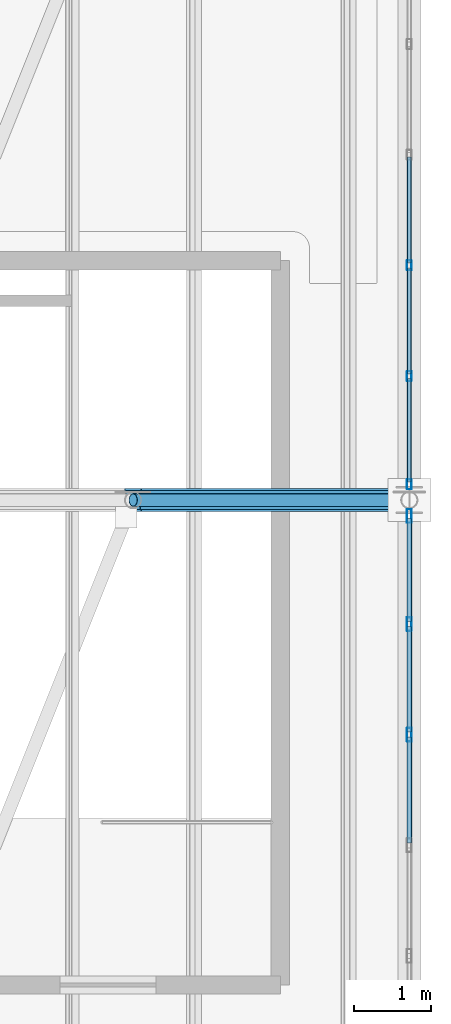
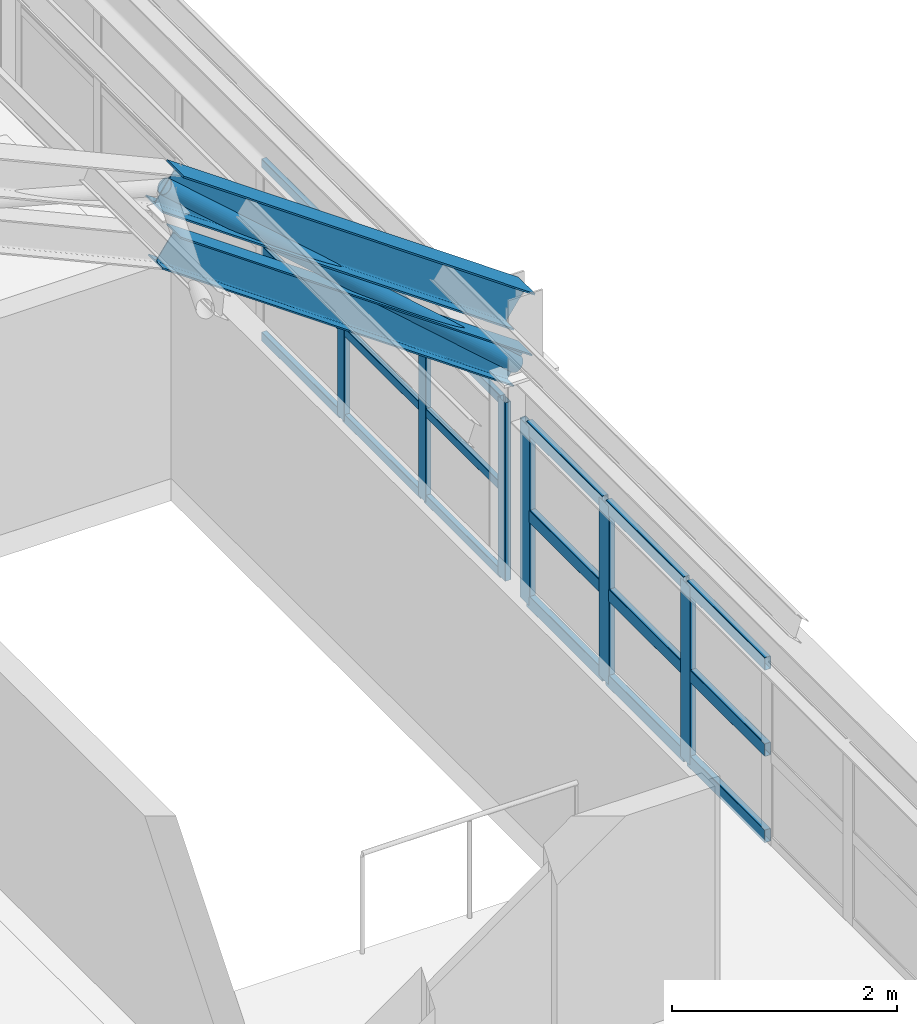
# One storey, part 36 of 121: 26 members, 1 beam, 2 elements without a shape of their own.
"""IFC4 building model written with IfcOpenShell, lengths in metres."""

from ifc_helpers import new_model, si_unit, direction, frame, origin, origin_2d, place, context, subcontext, project, spatial, hollow_rectangle, hollow_circle, i_section, extrude, material, material_profile, profile_set, type_object, element, aggregate, save


model = new_model("IFC4")

# Units and contexts
model_context = context("Model", 3, precision=1e-05, world=origin(), true_north=direction((0.0, 1.0)))
body_context = subcontext(model_context, "Body", "Model", "MODEL_VIEW")
ifc_project = project(units=[si_unit("LENGTHUNIT", "METRE"), si_unit("AREAUNIT", "SQUARE_METRE"), si_unit("VOLUMEUNIT", "CUBIC_METRE"), si_unit("PLANEANGLEUNIT", "RADIAN"), si_unit("MASSUNIT", "GRAM", prefix="KILO")], contexts=[model_context])

# Site, building, storey
site_placement = place(None, origin())
site = spatial("IfcSite", under=ifc_project, at=site_placement, CompositionType="ELEMENT")
building_placement = place(site_placement, origin())
building = spatial("IfcBuilding", under=site, at=building_placement, Name="Canglan Escarpment Cableway Terminal", CompositionType="ELEMENT")
storey_placement = place(building_placement, frame((0.0, 0.0, 24.60009765625)))
storey = spatial("IfcBuildingStorey", under=building, at=storey_placement, Name="L05", CompositionType="ELEMENT", Elevation=24.60009765625)

# Beam
ifc_material_1 = material(Name="Steel Q355B", Category="steel")
ifc_material_profile_1 = material_profile(ifc_material_1, i_section(OverallWidth=0.300048828125, OverallDepth=0.389892578125, WebThickness=0.010009765625, FlangeThickness=0.01611328125, FilletRadius=0.02197265625, at=origin_2d()), Name="HM 390x300x10x16")
ifc_profile_set_1 = profile_set([ifc_material_profile_1], Name="Steel Q355B")
beam_type = type_object("IfcBeamType", Name="BM-ARCH-TOP-HM390", PredefinedType="BEAM", material=ifc_profile_set_1)
beam_placement = place(storey_placement, frame((162.800048828125, 43.0, 5.616455078125), z_axis=(0.817731009495, 0.0, -0.575600552563), x_axis=(0.0, 1.0, 0.0)))
element("IfcBeam", 1, at=beam_placement, inside=storey, type_object=beam_type, Name="Vault ROOF TRUSS arch top chord AR-TC1", PredefinedType="BEAM", context=body_context, shape_type="SweptSolid", body=[
    extrude(i_section(OverallWidth=0.300048828125, OverallDepth=0.389892578125, WebThickness=0.010009765625, FlangeThickness=0.01611328125, FilletRadius=0.02197265625, at=origin_2d()), origin(), (0.0, 0.0, 1.0), 4.40234375),
])

# Curtain wall, members
ifc_material_2 = material(Name="Anodized bronze aluminium and Low-E double glazing", Category="aluminium")
curtain_wall_type = type_object("IfcCurtainWallType", Name="CW-BAY-8650x1925", PredefinedType="NOTDEFINED", material=ifc_material_2)
curtain_wall_1_placement = place(storey_placement, origin())
curtain_wall_1 = element("IfcCurtainWall", 2, at=curtain_wall_1_placement, inside=storey, type_object=curtain_wall_type, Name="Classical bay-between-piers glazed curtain wall CW-65", PredefinedType="NOTDEFINED")
ifc_material_3 = material(Name="Thermally broken anodized aluminium 6063-T6", Category="aluminium")
ifc_material_profile_2 = material_profile(ifc_material_3, hollow_rectangle(XDim=0.06005859375, YDim=0.1298828125, WallThickness=0.0029296875, InnerFilletRadius=0.0029296875, OuterFilletRadius=0.006103515625, at=origin_2d()), Name="ALU-MULL 60x130x3")
ifc_profile_set_2 = profile_set([ifc_material_profile_2], Name="Thermally broken anodized aluminium 6063-T6")
member_type_1 = type_object("IfcMemberType", Name="CWM-01", PredefinedType="MULLION", material=ifc_profile_set_2)
member_1_placement = place(storey_placement, frame((166.39990234375, 43.205078125, 0.0), z_axis=(0.0, 0.0, 1.0), x_axis=(-1.0, 0.0, 0.0)))
member_1 = element("IfcMember", 3, at=member_1_placement, type_object=member_type_1, Name="CW-65 mullion 1", PredefinedType="MULLION", context=body_context, shape_type="SweptSolid", body=[
    extrude(hollow_rectangle(XDim=0.06005859375, YDim=0.1298828125, WallThickness=0.0029296875, InnerFilletRadius=0.0029296875, OuterFilletRadius=0.006103515625, at=origin_2d()), origin(), (0.0, 0.0, 1.0), 1.932373046875),
])
member_2_placement = place(storey_placement, frame((166.39990234375, 44.61669921875, 0.0), z_axis=(0.0, 0.0, 1.0), x_axis=(-1.0, 0.0, 0.0)))
member_2 = element("IfcMember", 4, at=member_2_placement, type_object=member_type_1, Name="CW-65 mullion 2", PredefinedType="MULLION", context=body_context, shape_type="SweptSolid", body=[
    extrude(hollow_rectangle(XDim=0.06005859375, YDim=0.1298828125, WallThickness=0.0029296875, InnerFilletRadius=0.0029296875, OuterFilletRadius=0.006103515625, at=origin_2d()), origin(), (0.0, 0.0, 1.0), 1.932373046875),
])
member_3_placement = place(storey_placement, frame((166.39990234375, 46.058349609375, 0.0), z_axis=(0.0, 0.0, 1.0), x_axis=(-1.0, 0.0, 0.0)))
member_3 = element("IfcMember", 5, at=member_3_placement, type_object=member_type_1, Name="CW-65 mullion 3", PredefinedType="MULLION", context=body_context, shape_type="SweptSolid", body=[
    extrude(hollow_rectangle(XDim=0.06005859375, YDim=0.1298828125, WallThickness=0.0029296875, InnerFilletRadius=0.0029296875, OuterFilletRadius=0.006103515625, at=origin_2d()), origin(), (0.0, 0.0, 1.0), 1.932373046875),
])

curtain_wall_2_placement = place(storey_placement, origin())
curtain_wall_2 = element("IfcCurtainWall", 6, at=curtain_wall_2_placement, inside=storey, type_object=curtain_wall_type, Name="Classical bay-between-piers glazed curtain wall CW-65", PredefinedType="NOTDEFINED")
ifc_material_profile_3 = material_profile(ifc_material_3, hollow_rectangle(XDim=0.06494140625, YDim=0.179931640625, WallThickness=0.00390625, InnerFilletRadius=0.00390625, OuterFilletRadius=0.008056640625, at=origin_2d()), Name="ALU-MULL 65x180x4")
ifc_profile_set_3 = profile_set([ifc_material_profile_3], Name="Thermally broken anodized aluminium 6063-T6")
member_type_2 = type_object("IfcMemberType", Name="CWM-03", PredefinedType="MULLION", material=ifc_profile_set_3)
member_4_placement = place(storey_placement, frame((166.39990234375, 39.941650390625, 0.0), z_axis=(0.0, 0.0, 1.0), x_axis=(-1.0, 0.0, 0.0)))
member_4 = element("IfcMember", 7, at=member_4_placement, type_object=member_type_2, Name="CW-65 mullion 5", PredefinedType="MULLION", context=body_context, shape_type="SweptSolid", body=[
    extrude(hollow_rectangle(XDim=0.06494140625, YDim=0.179931640625, WallThickness=0.00390625, InnerFilletRadius=0.00390625, OuterFilletRadius=0.008056640625, at=origin_2d()), origin(), (0.0, 0.0, 1.0), 1.932373046875),
])
member_5_placement = place(storey_placement, frame((166.39990234375, 41.38330078125, 0.0), z_axis=(0.0, 0.0, 1.0), x_axis=(-1.0, 0.0, 0.0)))
member_5 = element("IfcMember", 8, at=member_5_placement, type_object=member_type_2, Name="CW-65 mullion 6", PredefinedType="MULLION", context=body_context, shape_type="SweptSolid", body=[
    extrude(hollow_rectangle(XDim=0.06494140625, YDim=0.179931640625, WallThickness=0.00390625, InnerFilletRadius=0.00390625, OuterFilletRadius=0.008056640625, at=origin_2d()), origin(), (0.0, 0.0, 1.0), 1.932373046875),
])
member_6_placement = place(storey_placement, frame((166.39990234375, 42.79248046875, 0.0), z_axis=(0.0, 0.0, 1.0), x_axis=(-1.0, 0.0, 0.0)))
member_6 = element("IfcMember", 9, at=member_6_placement, type_object=member_type_2, Name="CW-65 mullion 7", PredefinedType="MULLION", context=body_context, shape_type="SweptSolid", body=[
    extrude(hollow_rectangle(XDim=0.06494140625, YDim=0.179931640625, WallThickness=0.00390625, InnerFilletRadius=0.00390625, OuterFilletRadius=0.008056640625, at=origin_2d()), origin(), (0.0, 0.0, 1.0), 1.932373046875),
])

# Member
ifc_material_profile_4 = material_profile(ifc_material_3, hollow_rectangle(XDim=0.054931640625, YDim=0.094970703125, WallThickness=0.0029296875, InnerFilletRadius=0.0029296875, OuterFilletRadius=0.006103515625, at=origin_2d()), Name="ALU-TRAN 55x95x3")
ifc_profile_set_4 = profile_set([ifc_material_profile_4], Name="Thermally broken anodized aluminium 6063-T6")
member_type_3 = type_object("IfcMemberType", Name="CWT-01", PredefinedType="USERDEFINED", material=ifc_profile_set_4)
member_7_placement = place(storey_placement, frame((166.39990234375, 43.235107421875, 0.02734375), z_axis=(0.0, 1.0, 0.0), x_axis=(-1.0, 0.0, 0.0)))
member_7 = element("IfcMember", 10, at=member_7_placement, type_object=member_type_3, Name="CW-65 transom 1.1", ObjectType="TRANSOM", PredefinedType="USERDEFINED", context=body_context, shape_type="SweptSolid", body=[
    extrude(hollow_rectangle(XDim=0.054931640625, YDim=0.094970703125, WallThickness=0.0029296875, InnerFilletRadius=0.0029296875, OuterFilletRadius=0.006103515625, at=origin_2d()), origin(), (0.0, 0.0, 1.0), 1.3515625),
])

member_8_placement = place(storey_placement, frame((166.39990234375, 43.235107421875, 0.96630859375), z_axis=(0.0, 1.0, 0.0), x_axis=(-1.0, 0.0, 0.0)))
member_8 = element("IfcMember", 11, at=member_8_placement, type_object=member_type_3, Name="CW-65 transom 1.2", ObjectType="TRANSOM", PredefinedType="USERDEFINED", context=body_context, shape_type="SweptSolid", body=[
    extrude(hollow_rectangle(XDim=0.054931640625, YDim=0.094970703125, WallThickness=0.0029296875, InnerFilletRadius=0.0029296875, OuterFilletRadius=0.006103515625, at=origin_2d()), origin(), (0.0, 0.0, 1.0), 1.3515625),
])

member_9_placement = place(storey_placement, frame((166.39990234375, 43.235107421875, 1.90478515625), z_axis=(0.0, 1.0, 0.0), x_axis=(-1.0, 0.0, 0.0)))
member_9 = element("IfcMember", 12, at=member_9_placement, type_object=member_type_3, Name="CW-65 transom 1.3", ObjectType="TRANSOM", PredefinedType="USERDEFINED", context=body_context, shape_type="SweptSolid", body=[
    extrude(hollow_rectangle(XDim=0.054931640625, YDim=0.094970703125, WallThickness=0.0029296875, InnerFilletRadius=0.0029296875, OuterFilletRadius=0.006103515625, at=origin_2d()), origin(), (0.0, 0.0, 1.0), 1.3515625),
])

member_10_placement = place(storey_placement, frame((166.39990234375, 44.646728515625, 0.02734375), z_axis=(0.0, 1.0, 0.0), x_axis=(-1.0, 0.0, 0.0)))
member_10 = element("IfcMember", 13, at=member_10_placement, type_object=member_type_3, Name="CW-65 transom 2.1", ObjectType="TRANSOM", PredefinedType="USERDEFINED", context=body_context, shape_type="SweptSolid", body=[
    extrude(hollow_rectangle(XDim=0.054931640625, YDim=0.094970703125, WallThickness=0.0029296875, InnerFilletRadius=0.0029296875, OuterFilletRadius=0.006103515625, at=origin_2d()), origin(), (0.0, 0.0, 1.0), 1.381591796875),
])

member_11_placement = place(storey_placement, frame((166.39990234375, 44.646728515625, 0.96630859375), z_axis=(0.0, 1.0, 0.0), x_axis=(-1.0, 0.0, 0.0)))
member_11 = element("IfcMember", 14, at=member_11_placement, type_object=member_type_3, Name="CW-65 transom 2.2", ObjectType="TRANSOM", PredefinedType="USERDEFINED", context=body_context, shape_type="SweptSolid", body=[
    extrude(hollow_rectangle(XDim=0.054931640625, YDim=0.094970703125, WallThickness=0.0029296875, InnerFilletRadius=0.0029296875, OuterFilletRadius=0.006103515625, at=origin_2d()), origin(), (0.0, 0.0, 1.0), 1.381591796875),
])

member_12_placement = place(storey_placement, frame((166.39990234375, 44.646728515625, 1.90478515625), z_axis=(0.0, 1.0, 0.0), x_axis=(-1.0, 0.0, 0.0)))
member_12 = element("IfcMember", 15, at=member_12_placement, type_object=member_type_3, Name="CW-65 transom 2.3", ObjectType="TRANSOM", PredefinedType="USERDEFINED", context=body_context, shape_type="SweptSolid", body=[
    extrude(hollow_rectangle(XDim=0.054931640625, YDim=0.094970703125, WallThickness=0.0029296875, InnerFilletRadius=0.0029296875, OuterFilletRadius=0.006103515625, at=origin_2d()), origin(), (0.0, 0.0, 1.0), 1.381591796875),
])

member_13_placement = place(storey_placement, frame((166.39990234375, 46.08837890625, 0.02734375), z_axis=(0.0, 1.0, 0.0), x_axis=(-1.0, 0.0, 0.0)))
member_13 = element("IfcMember", 16, at=member_13_placement, type_object=member_type_3, Name="CW-65 transom 3.1", ObjectType="TRANSOM", PredefinedType="USERDEFINED", context=body_context, shape_type="SweptSolid", body=[
    extrude(hollow_rectangle(XDim=0.054931640625, YDim=0.094970703125, WallThickness=0.0029296875, InnerFilletRadius=0.0029296875, OuterFilletRadius=0.006103515625, at=origin_2d()), origin(), (0.0, 0.0, 1.0), 1.381591796875),
])

member_14_placement = place(storey_placement, frame((166.39990234375, 46.08837890625, 0.96630859375), z_axis=(0.0, 1.0, 0.0), x_axis=(-1.0, 0.0, 0.0)))
member_14 = element("IfcMember", 17, at=member_14_placement, type_object=member_type_3, Name="CW-65 transom 3.2", ObjectType="TRANSOM", PredefinedType="USERDEFINED", context=body_context, shape_type="SweptSolid", body=[
    extrude(hollow_rectangle(XDim=0.054931640625, YDim=0.094970703125, WallThickness=0.0029296875, InnerFilletRadius=0.0029296875, OuterFilletRadius=0.006103515625, at=origin_2d()), origin(), (0.0, 0.0, 1.0), 1.381591796875),
])

member_15_placement = place(storey_placement, frame((166.39990234375, 46.08837890625, 1.90478515625), z_axis=(0.0, 1.0, 0.0), x_axis=(-1.0, 0.0, 0.0)))
member_15 = element("IfcMember", 18, at=member_15_placement, type_object=member_type_3, Name="CW-65 transom 3.3", ObjectType="TRANSOM", PredefinedType="USERDEFINED", context=body_context, shape_type="SweptSolid", body=[
    extrude(hollow_rectangle(XDim=0.054931640625, YDim=0.094970703125, WallThickness=0.0029296875, InnerFilletRadius=0.0029296875, OuterFilletRadius=0.006103515625, at=origin_2d()), origin(), (0.0, 0.0, 1.0), 1.381591796875),
])

aggregate(curtain_wall_1, [member_1, member_2, member_3, member_7, member_8, member_9, member_10, member_11, member_12, member_13, member_14, member_15])

ifc_material_profile_5 = material_profile(ifc_material_3, hollow_rectangle(XDim=0.06494140625, YDim=0.139892578125, WallThickness=0.00341796875, InnerFilletRadius=0.00341796875, OuterFilletRadius=0.007080078125, at=origin_2d()), Name="ALU-TRAN 65x140x3.5")
ifc_profile_set_5 = profile_set([ifc_material_profile_5], Name="Thermally broken anodized aluminium 6063-T6")
member_type_4 = type_object("IfcMemberType", Name="CWT-03", PredefinedType="USERDEFINED", material=ifc_profile_set_5)
member_16_placement = place(storey_placement, frame((166.39990234375, 38.532470703125, 0.032470703125), z_axis=(0.0, 1.0, 0.0), x_axis=(-1.0, 0.0, 0.0)))
member_16 = element("IfcMember", 19, at=member_16_placement, type_object=member_type_4, Name="CW-65 transom 4.1", ObjectType="TRANSOM", PredefinedType="USERDEFINED", context=body_context, shape_type="SweptSolid", body=[
    extrude(hollow_rectangle(XDim=0.06494140625, YDim=0.139892578125, WallThickness=0.00341796875, InnerFilletRadius=0.00341796875, OuterFilletRadius=0.007080078125, at=origin_2d()), origin(), (0.0, 0.0, 1.0), 1.376708984375),
])

member_17_placement = place(storey_placement, frame((166.39990234375, 38.532470703125, 0.96630859375), z_axis=(0.0, 1.0, 0.0), x_axis=(-1.0, 0.0, 0.0)))
member_17 = element("IfcMember", 20, at=member_17_placement, type_object=member_type_4, Name="CW-65 transom 4.2", ObjectType="TRANSOM", PredefinedType="USERDEFINED", context=body_context, shape_type="SweptSolid", body=[
    extrude(hollow_rectangle(XDim=0.06494140625, YDim=0.139892578125, WallThickness=0.00341796875, InnerFilletRadius=0.00341796875, OuterFilletRadius=0.007080078125, at=origin_2d()), origin(), (0.0, 0.0, 1.0), 1.376708984375),
])

member_18_placement = place(storey_placement, frame((166.39990234375, 38.532470703125, 1.89990234375), z_axis=(0.0, 1.0, 0.0), x_axis=(-1.0, 0.0, 0.0)))
member_18 = element("IfcMember", 21, at=member_18_placement, type_object=member_type_4, Name="CW-65 transom 4.3", ObjectType="TRANSOM", PredefinedType="USERDEFINED", context=body_context, shape_type="SweptSolid", body=[
    extrude(hollow_rectangle(XDim=0.06494140625, YDim=0.139892578125, WallThickness=0.00341796875, InnerFilletRadius=0.00341796875, OuterFilletRadius=0.007080078125, at=origin_2d()), origin(), (0.0, 0.0, 1.0), 1.376708984375),
])

member_19_placement = place(storey_placement, frame((166.39990234375, 39.97412109375, 0.032470703125), z_axis=(0.0, 1.0, 0.0), x_axis=(-1.0, 0.0, 0.0)))
member_19 = element("IfcMember", 22, at=member_19_placement, type_object=member_type_4, Name="CW-65 transom 5.1", ObjectType="TRANSOM", PredefinedType="USERDEFINED", context=body_context, shape_type="SweptSolid", body=[
    extrude(hollow_rectangle(XDim=0.06494140625, YDim=0.139892578125, WallThickness=0.00341796875, InnerFilletRadius=0.00341796875, OuterFilletRadius=0.007080078125, at=origin_2d()), origin(), (0.0, 0.0, 1.0), 1.376708984375),
])

member_20_placement = place(storey_placement, frame((166.39990234375, 39.97412109375, 0.96630859375), z_axis=(0.0, 1.0, 0.0), x_axis=(-1.0, 0.0, 0.0)))
member_20 = element("IfcMember", 23, at=member_20_placement, type_object=member_type_4, Name="CW-65 transom 5.2", ObjectType="TRANSOM", PredefinedType="USERDEFINED", context=body_context, shape_type="SweptSolid", body=[
    extrude(hollow_rectangle(XDim=0.06494140625, YDim=0.139892578125, WallThickness=0.00341796875, InnerFilletRadius=0.00341796875, OuterFilletRadius=0.007080078125, at=origin_2d()), origin(), (0.0, 0.0, 1.0), 1.376708984375),
])

member_21_placement = place(storey_placement, frame((166.39990234375, 39.97412109375, 1.89990234375), z_axis=(0.0, 1.0, 0.0), x_axis=(-1.0, 0.0, 0.0)))
member_21 = element("IfcMember", 24, at=member_21_placement, type_object=member_type_4, Name="CW-65 transom 5.3", ObjectType="TRANSOM", PredefinedType="USERDEFINED", context=body_context, shape_type="SweptSolid", body=[
    extrude(hollow_rectangle(XDim=0.06494140625, YDim=0.139892578125, WallThickness=0.00341796875, InnerFilletRadius=0.00341796875, OuterFilletRadius=0.007080078125, at=origin_2d()), origin(), (0.0, 0.0, 1.0), 1.376708984375),
])

member_22_placement = place(storey_placement, frame((166.39990234375, 41.415771484375, 0.032470703125), z_axis=(0.0, 1.0, 0.0), x_axis=(-1.0, 0.0, 0.0)))
member_22 = element("IfcMember", 25, at=member_22_placement, type_object=member_type_4, Name="CW-65 transom 6.1", ObjectType="TRANSOM", PredefinedType="USERDEFINED", context=body_context, shape_type="SweptSolid", body=[
    extrude(hollow_rectangle(XDim=0.06494140625, YDim=0.139892578125, WallThickness=0.00341796875, InnerFilletRadius=0.00341796875, OuterFilletRadius=0.007080078125, at=origin_2d()), origin(), (0.0, 0.0, 1.0), 1.34423828125),
])

member_23_placement = place(storey_placement, frame((166.39990234375, 41.415771484375, 0.96630859375), z_axis=(0.0, 1.0, 0.0), x_axis=(-1.0, 0.0, 0.0)))
member_23 = element("IfcMember", 26, at=member_23_placement, type_object=member_type_4, Name="CW-65 transom 6.2", ObjectType="TRANSOM", PredefinedType="USERDEFINED", context=body_context, shape_type="SweptSolid", body=[
    extrude(hollow_rectangle(XDim=0.06494140625, YDim=0.139892578125, WallThickness=0.00341796875, InnerFilletRadius=0.00341796875, OuterFilletRadius=0.007080078125, at=origin_2d()), origin(), (0.0, 0.0, 1.0), 1.34423828125),
])

member_24_placement = place(storey_placement, frame((166.39990234375, 41.415771484375, 1.89990234375), z_axis=(0.0, 1.0, 0.0), x_axis=(-1.0, 0.0, 0.0)))
member_24 = element("IfcMember", 27, at=member_24_placement, type_object=member_type_4, Name="CW-65 transom 6.3", ObjectType="TRANSOM", PredefinedType="USERDEFINED", context=body_context, shape_type="SweptSolid", body=[
    extrude(hollow_rectangle(XDim=0.06494140625, YDim=0.139892578125, WallThickness=0.00341796875, InnerFilletRadius=0.00341796875, OuterFilletRadius=0.007080078125, at=origin_2d()), origin(), (0.0, 0.0, 1.0), 1.34423828125),
])

aggregate(curtain_wall_2, [member_4, member_5, member_6, member_16, member_17, member_18, member_19, member_20, member_21, member_22, member_23, member_24])

# Members
ifc_material_profile_6 = material_profile(ifc_material_1, i_section(OverallWidth=0.25, OverallDepth=0.340087890625, WebThickness=0.009033203125, FlangeThickness=0.013916015625, FilletRadius=0.02001953125, at=origin_2d()), Name="HM 340x250x9x14")
ifc_profile_set_6 = profile_set([ifc_material_profile_6], Name="Steel Q355B")
member_type_5 = type_object("IfcMemberType", Name="MB-ARCH-BOT-HM340", PredefinedType="CHORD", material=ifc_profile_set_6)
member_25_placement = place(storey_placement, frame((162.800048828125, 43.0, 4.966552734375), z_axis=(0.81770490607, 0.0, -0.575637634792), x_axis=(0.0, 1.0, 0.0)))
element("IfcMember", 28, at=member_25_placement, inside=storey, type_object=member_type_5, Name="Vault ROOF TRUSS arch bottom chord AR-BC1", PredefinedType="CHORD", context=body_context, shape_type="SweptSolid", body=[
    extrude(i_section(OverallWidth=0.25, OverallDepth=0.340087890625, WebThickness=0.009033203125, FlangeThickness=0.013916015625, FilletRadius=0.02001953125, at=origin_2d()), origin(), (0.0, 0.0, 1.0), 4.40234375),
])
ifc_material_profile_7 = material_profile(ifc_material_1, hollow_circle(Radius=0.084228515625, WallThickness=0.006103515625, at=origin_2d()), Name="CHS 168.3x6")
ifc_profile_set_7 = profile_set([ifc_material_profile_7], Name="Steel Q355B")
member_type_6 = type_object("IfcMemberType", Name="MB-ARCH-DIAG-CHS168", PredefinedType="BRACE", material=ifc_profile_set_7)
member_26_placement = place(storey_placement, frame((162.800048828125, 43.0, 5.616455078125), z_axis=(0.749038254518, 0.0, -0.662526749096), x_axis=(0.0, 1.0, 0.0)))
element("IfcMember", 29, at=member_26_placement, inside=storey, type_object=member_type_6, Name="Vault ROOF TRUSS web diagonal AR-DG1", PredefinedType="BRACE", context=body_context, shape_type="SweptSolid", body=[
    extrude(hollow_circle(Radius=0.084228515625, WallThickness=0.006103515625, at=origin_2d()), origin(), (0.0, 0.0, 1.0), 4.805908203125),
])

save(model, "model.ifc")
